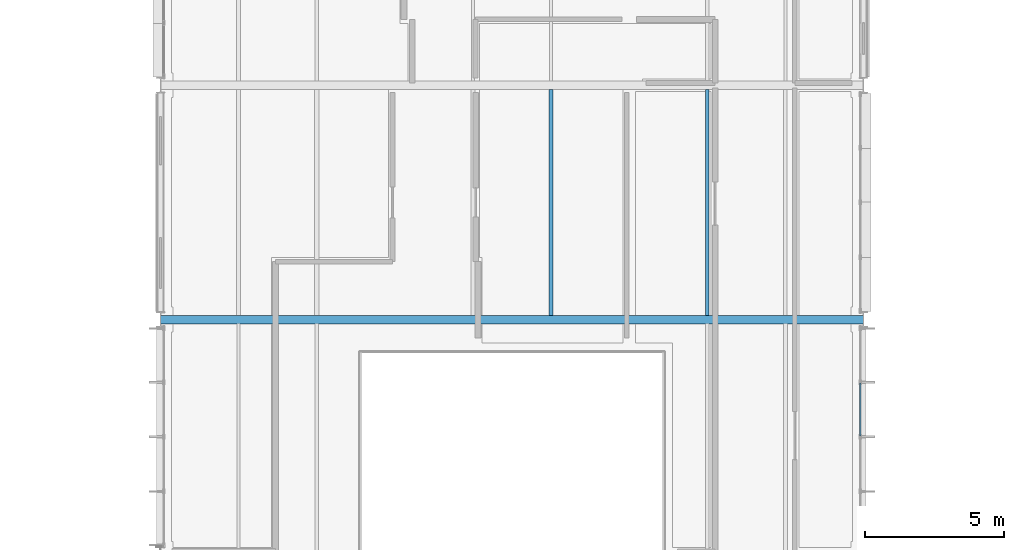
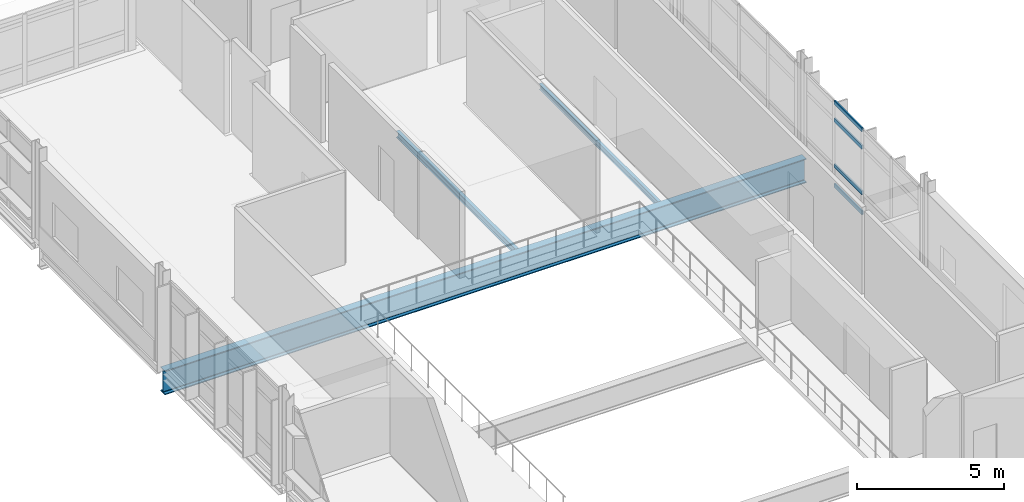
# One storey, part 56 of 131: 4 members, 3 beams, 1 element without a shape of its own.
"""IFC4 building model written with IfcOpenShell, lengths in metres."""

from ifc_helpers import new_model, si_unit, direction, frame, origin, origin_2d, place, context, subcontext, project, spatial, hollow_rectangle, i_section, extrude, material, material_profile, profile_set, type_object, element, aggregate, save


model = new_model("IFC4")

# Units and contexts
model_context = context("Model", 3, precision=1e-05, world=origin(), true_north=direction((0.0, 1.0)))
body_context = subcontext(model_context, "Body", "Model", "MODEL_VIEW")
ifc_project = project(units=[si_unit("LENGTHUNIT", "METRE"), si_unit("AREAUNIT", "SQUARE_METRE"), si_unit("VOLUMEUNIT", "CUBIC_METRE"), si_unit("PLANEANGLEUNIT", "RADIAN"), si_unit("MASSUNIT", "GRAM", prefix="KILO")], contexts=[model_context])

# Site, building, storey
site_placement = place(None, origin())
site = spatial("IfcSite", under=ifc_project, at=site_placement, CompositionType="ELEMENT")
building_placement = place(site_placement, origin())
building = spatial("IfcBuilding", under=site, at=building_placement, Name="Mersafa Astral City Hall", CompositionType="ELEMENT")
storey_placement = place(building_placement, frame((0.0, 0.0, 13.949951171875)))
storey = spatial("IfcBuildingStorey", under=building, at=storey_placement, Name="L03", CompositionType="ELEMENT", Elevation=13.949951171875)

# Curtain wall, members
ifc_material_1 = material(Name="Anodised bronze aluminium framing", Category="aluminium")
curtain_wall_type = type_object("IfcCurtainWallType", Name="ENV-CW-5", PredefinedType="USERDEFINED", material=ifc_material_1)
curtain_wall_placement = place(storey_placement, origin())
curtain_wall = element("IfcCurtainWall", 1, at=curtain_wall_placement, inside=storey, type_object=curtain_wall_type, Name="L03 Unitised solar curtain wall 154", ObjectType="UNITISED CURTAIN WALL", PredefinedType="USERDEFINED")
ifc_material_profile_1 = material_profile(ifc_material_1, hollow_rectangle(XDim=0.06005859375, YDim=0.159912109375, WallThickness=0.00390625, at=origin_2d()), Name="RHS 60x160x4")
ifc_profile_set_1 = profile_set([ifc_material_profile_1], Name="Anodised bronze aluminium framing")
member_type = type_object("IfcMemberType", Name="ENV-CW-TRN-2", PredefinedType="USERDEFINED", material=ifc_profile_set_1)
member_1_placement = place(storey_placement, frame((117.47998046875, 71.429931640625, 0.028076171875), z_axis=(0.0, 1.0, 0.0), x_axis=(-1.0, 0.0, 0.0)))
member_1 = element("IfcMember", 2, at=member_1_placement, type_object=member_type, Name="CW-5 transom 3.1", ObjectType="TRANSOM", PredefinedType="USERDEFINED", context=body_context, shape_type="SweptSolid", body=[
    extrude(hollow_rectangle(XDim=0.06005859375, YDim=0.159912109375, WallThickness=0.00390625, at=origin_2d()), origin(), (0.0, 0.0, 1.0), 1.896484375),
])
member_2_placement = place(storey_placement, frame((117.47998046875, 71.429931640625, 0.85009765625), z_axis=(0.0, 1.0, 0.0), x_axis=(-1.0, 0.0, 0.0)))
member_2 = element("IfcMember", 3, at=member_2_placement, type_object=member_type, Name="CW-5 transom 3.2", ObjectType="TRANSOM", PredefinedType="USERDEFINED", context=body_context, shape_type="SweptSolid", body=[
    extrude(hollow_rectangle(XDim=0.06005859375, YDim=0.159912109375, WallThickness=0.00390625, at=origin_2d()), origin(), (0.0, 0.0, 1.0), 1.896484375),
])
member_3_placement = place(storey_placement, frame((117.47998046875, 71.429931640625, 2.75), z_axis=(0.0, 1.0, 0.0), x_axis=(-1.0, 0.0, 0.0)))
member_3 = element("IfcMember", 4, at=member_3_placement, type_object=member_type, Name="CW-5 transom 3.3", ObjectType="TRANSOM", PredefinedType="USERDEFINED", context=body_context, shape_type="SweptSolid", body=[
    extrude(hollow_rectangle(XDim=0.06005859375, YDim=0.159912109375, WallThickness=0.00390625, at=origin_2d()), origin(), (0.0, 0.0, 1.0), 1.896484375),
])
member_4_placement = place(storey_placement, frame((117.47998046875, 71.429931640625, 3.47216796875), z_axis=(0.0, 1.0, 0.0), x_axis=(-1.0, 0.0, 0.0)))
member_4 = element("IfcMember", 5, at=member_4_placement, type_object=member_type, Name="CW-5 transom 3.4", ObjectType="TRANSOM", PredefinedType="USERDEFINED", context=body_context, shape_type="SweptSolid", body=[
    extrude(hollow_rectangle(XDim=0.06005859375, YDim=0.159912109375, WallThickness=0.00390625, at=origin_2d()), origin(), (0.0, 0.0, 1.0), 1.896484375),
])
aggregate(curtain_wall, [member_1, member_2, member_3, member_4])

# Beams
ifc_material_2 = material(Name="Steel S355", Category="steel")
ifc_material_profile_2 = material_profile(ifc_material_2, i_section(OverallWidth=0.1201171875, OverallDepth=0.239990234375, WebThickness=0.006103515625, FlangeThickness=0.009765625, FilletRadius=0.014892578125, at=origin_2d()), Name="IPE 240")
ifc_profile_set_2 = profile_set([ifc_material_profile_2], Name="Steel S355")
beam_type_1 = type_object("IfcBeamType", Name="STR-BM-JOIST-IPE240", PredefinedType="JOIST", material=ifc_profile_set_2)
beam_1_placement = place(storey_placement, frame((112.0, 75.7451171875, -0.320068359375), z_axis=(0.0, 1.0, 0.0), x_axis=(-1.0, 0.0, 0.0)))
element("IfcBeam", 6, at=beam_1_placement, inside=storey, type_object=beam_type_1, Name="L03 Composite secondary floor joist 618", PredefinedType="JOIST", context=body_context, shape_type="SweptSolid", body=[
    extrude(i_section(OverallWidth=0.1201171875, OverallDepth=0.239990234375, WebThickness=0.006103515625, FlangeThickness=0.009765625, FilletRadius=0.014892578125, at=origin_2d()), origin(), (0.0, 0.0, 1.0), 8.10986328125),
])
ifc_material_profile_3 = material_profile(ifc_material_2, i_section(OverallWidth=0.135009765625, OverallDepth=0.27001953125, WebThickness=0.006591796875, FlangeThickness=0.01025390625, FilletRadius=0.014892578125, at=origin_2d()), Name="IPE 270")
ifc_profile_set_3 = profile_set([ifc_material_profile_3], Name="Steel S355")
beam_type_2 = type_object("IfcBeamType", Name="STR-BM-JOIST-IPE270", PredefinedType="JOIST", material=ifc_profile_set_3)
beam_2_placement = place(storey_placement, frame((106.39990234375, 75.7451171875, -0.3349609375), z_axis=(0.0, 1.0, 0.0), x_axis=(-1.0, 0.0, 0.0)))
element("IfcBeam", 7, at=beam_2_placement, inside=storey, type_object=beam_type_2, Name="L03 Composite secondary floor joist 595", PredefinedType="JOIST", context=body_context, shape_type="SweptSolid", body=[
    extrude(i_section(OverallWidth=0.135009765625, OverallDepth=0.27001953125, WebThickness=0.006591796875, FlangeThickness=0.01025390625, FilletRadius=0.014892578125, at=origin_2d()), origin(), (0.0, 0.0, 1.0), 8.10986328125),
])
ifc_material_profile_4 = material_profile(ifc_material_2, i_section(OverallWidth=0.300048828125, OverallDepth=1.0, WebThickness=0.01904296875, FlangeThickness=0.035888671875, FilletRadius=0.030029296875, at=origin_2d()), Name="HEB 1000")
ifc_profile_set_4 = profile_set([ifc_material_profile_4], Name="Steel S355")
beam_type_3 = type_object("IfcBeamType", Name="STR-BM-PORTAL-HEB1000", PredefinedType="BEAM", material=ifc_profile_set_4)
beam_3_placement = place(storey_placement, frame((92.403076171875, 75.60009765625, -0.699951171875), z_axis=(1.0, 0.0, 0.0), x_axis=(0.0, 1.0, 0.0)))
element("IfcBeam", 8, at=beam_3_placement, inside=storey, type_object=beam_type_3, Name="L03 Public Service Hall clear-span portal girder 9", PredefinedType="BEAM", context=body_context, shape_type="SweptSolid", body=[
    extrude(i_section(OverallWidth=0.300048828125, OverallDepth=1.0, WebThickness=0.01904296875, FlangeThickness=0.035888671875, FilletRadius=0.030029296875, at=origin_2d()), origin(), (0.0, 0.0, 1.0), 25.19384765625),
])

save(model, "model.ifc")
